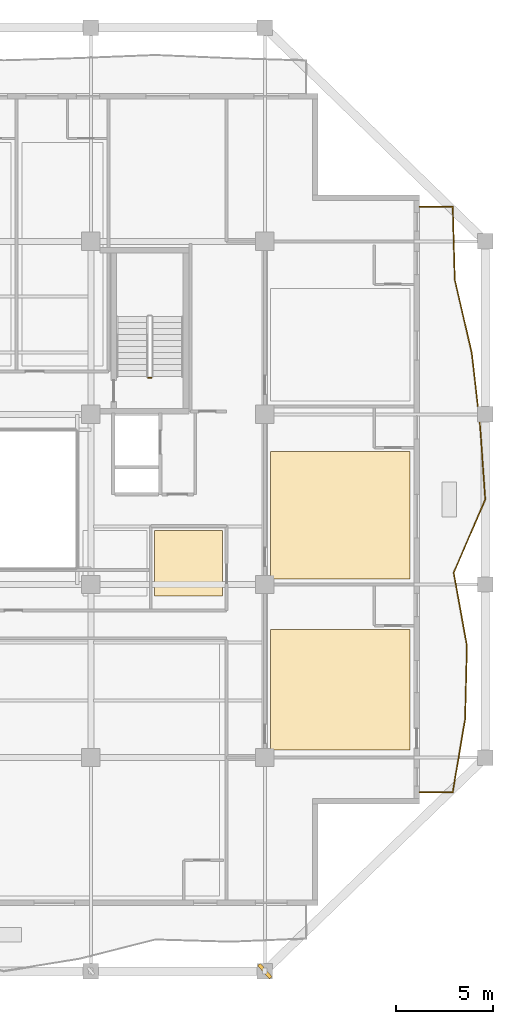
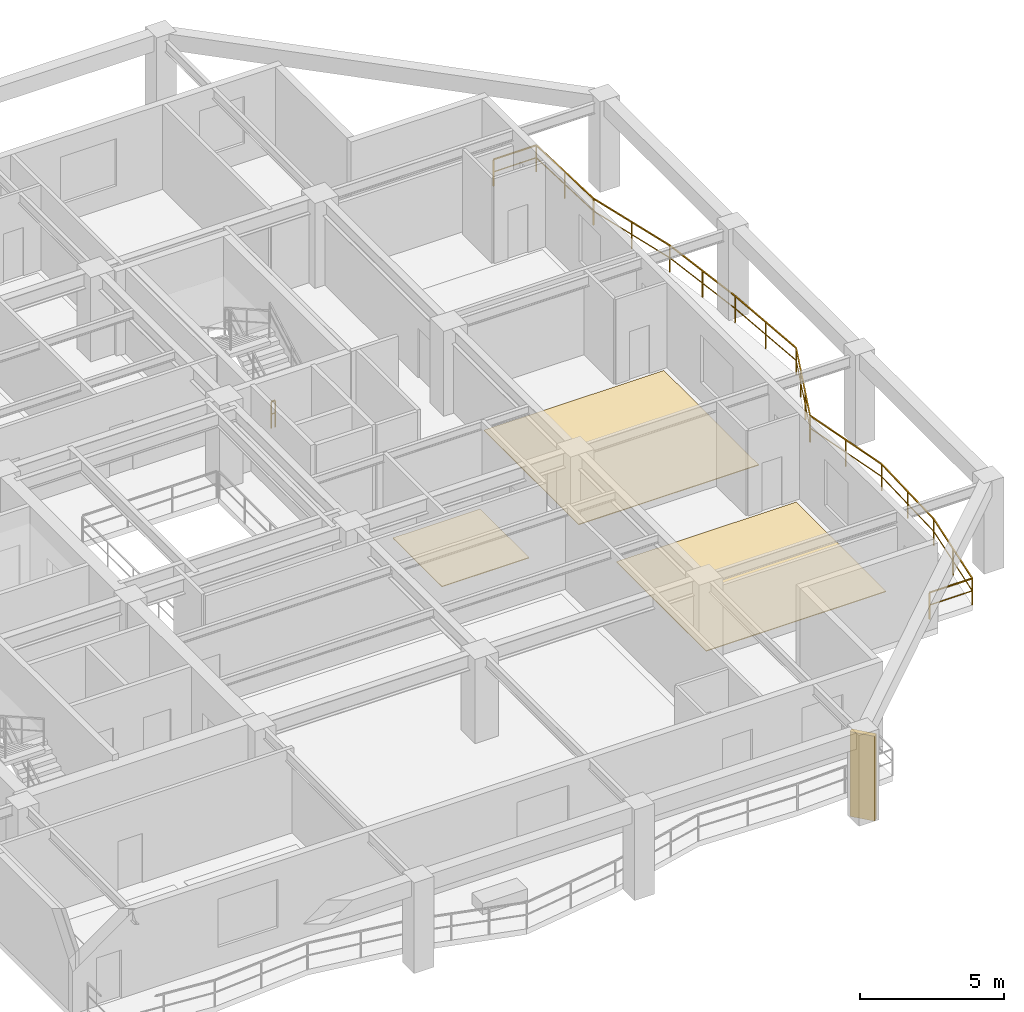
# One storey, part 9 of 12: 3 coverings, 2 railings, 1 shading device.
"""IFC4 building model written with IfcOpenShell, lengths in metres."""

from ifc_helpers import new_model, si_unit, direction, frame, origin, origin_2d, place, context, subcontext, project, spatial, polyline, rectangle, outline, extrude, material, layer, layer_set, type_object, element, save


model = new_model("IFC4")

# Units and contexts
model_context = context("Model", 3, precision=1e-05, world=origin(), true_north=direction((0.0, 1.0)))
body_context = subcontext(model_context, "Body", "Model", "MODEL_VIEW")
ifc_project = project(units=[si_unit("LENGTHUNIT", "METRE"), si_unit("AREAUNIT", "SQUARE_METRE"), si_unit("VOLUMEUNIT", "CUBIC_METRE"), si_unit("PLANEANGLEUNIT", "RADIAN"), si_unit("MASSUNIT", "GRAM", prefix="KILO")], contexts=[model_context])

# Site, building, storey
site_placement = place(None, origin())
site = spatial("IfcSite", under=ifc_project, at=site_placement, CompositionType="ELEMENT")
building_placement = place(site_placement, origin())
building = spatial("IfcBuilding", under=site, at=building_placement, Name="Kundavana Baori Tower", CompositionType="ELEMENT")
storey_placement = place(building_placement, frame((0.0, 0.0, 196.39990234375)))
storey = spatial("IfcBuildingStorey", under=building, at=storey_placement, Name="L48", CompositionType="ELEMENT", Elevation=196.39990234375)

# Coverings
ifc_material_1 = material(Name="Honed Kota Stone and Terrazzo Flooring", Category="masonry")
ifc_layer = layer(ifc_material_1, 0.030029296875, Name="COV-INT-FLR")
ifc_layer_set = layer_set([ifc_layer], Name="Honed Kota Stone and Terrazzo Flooring")
covering_type = type_object("IfcCoveringType", Name="COV-INT-FLR", PredefinedType="FLOORING", material=ifc_layer_set)
covering_1_placement = place(storey_placement, origin())
element("IfcCovering", 1, at=covering_1_placement, inside=storey, type_object=covering_type, Name="L48 Room Finished Stone Flooring 4", PredefinedType="FLOORING", context=body_context, shape_type="SweptSolid", body=[
    extrude(outline(polyline([(43.10009765625, 15.6298828125), (50.320068359375, 15.6298828125), (50.320068359375, 21.8701171875), (43.10009765625, 21.8701171875), (43.10009765625, 15.6298828125)])), origin(), (0.0, 0.0, 1.0), 0.030029296875),
])
covering_2_placement = place(storey_placement, origin())
element("IfcCovering", 2, at=covering_2_placement, inside=storey, type_object=covering_type, Name="L48 Room Finished Stone Flooring 5", PredefinedType="FLOORING", context=body_context, shape_type="SweptSolid", body=[
    extrude(outline(polyline([(43.10009765625, 24.47998046875), (50.320068359375, 24.47998046875), (50.320068359375, 31.070068359375), (43.10009765625, 31.070068359375), (43.10009765625, 24.47998046875)])), origin(), (0.0, 0.0, 1.0), 0.030029296875),
])
covering_3_placement = place(storey_placement, origin())
element("IfcCovering", 3, at=covering_3_placement, inside=storey, type_object=covering_type, Name="L48 Room Finished Stone Flooring 14", PredefinedType="FLOORING", context=body_context, shape_type="SweptSolid", body=[
    extrude(outline(polyline([(37.10009765625, 23.60009765625), (40.60009765625, 23.60009765625), (40.60009765625, 27.0), (37.10009765625, 27.0), (37.10009765625, 23.60009765625)])), origin(), (0.0, 0.0, 1.0), 0.030029296875),
])

# Railings
ifc_material_2 = material(Name="Architectural Patinated Bronze Metalwork")
railing_type_1 = type_object("IfcRailingType", Name="RL-BAL-1150", PredefinedType="BALUSTRADE", material=ifc_material_2)
railing_1_placement = place(storey_placement, frame((50.800048828125, 43.75, 0.0)))
element("IfcRailing", 4, at=railing_1_placement, inside=storey, type_object=railing_type_1, Name="L48 Loggia Balcony Balustrade E", PredefinedType="BALUSTRADE", context=body_context, shape_type="SweptSolid", body=[
    extrude(rectangle(XDim=0.048095703125, YDim=0.048095703125, at=origin_2d()), frame((0.0, 0.0, 1.1259765625), z_axis=(1.0, 0.0, 0.0), x_axis=(0.0, 1.0, 0.0)), (0.0, 0.0, 1.0), 1.719970703125),
    extrude(rectangle(XDim=0.03125, YDim=0.03125, at=origin_2d()), frame((0.0, 0.0, 0.597900390625), z_axis=(1.0, 0.0, 0.0), x_axis=(0.0, 1.0, 0.0)), (0.0, 0.0, 1.0), 1.719970703125),
    extrude(rectangle(XDim=0.048095703125, YDim=0.048095703125, at=origin_2d()), frame((1.719970703125, 0.0, 1.1259765625), z_axis=(0.027960190916, -0.999609037436, 0.0), x_axis=(0.999609037436, 0.027960190916, 0.0)), (0.0, 0.0, 1.0), 3.78955078125),
    extrude(rectangle(XDim=0.03125, YDim=0.03125, at=origin_2d()), frame((1.719970703125, 0.0, 0.597900390625), z_axis=(0.027960190916, -0.999609037436, 0.0), x_axis=(0.999609037436, 0.027960190916, 0.0)), (0.0, 0.0, 1.0), 3.78955078125),
    extrude(rectangle(XDim=0.048095703125, YDim=0.048095703125, at=origin_2d()), frame((1.825927734375, -3.7880859375, 1.1259765625), z_axis=(0.226083950507, -0.9741078212, 0.0), x_axis=(0.9741078212, 0.226083950507, 0.0)), (0.0, 0.0, 1.0), 3.887451171875),
    extrude(rectangle(XDim=0.03125, YDim=0.03125, at=origin_2d()), frame((1.825927734375, -3.7880859375, 0.597900390625), z_axis=(0.226083950507, -0.9741078212, 0.0), x_axis=(0.9741078212, 0.226083950507, 0.0)), (0.0, 0.0, 1.0), 3.887451171875),
    extrude(rectangle(XDim=0.048095703125, YDim=0.048095703125, at=origin_2d()), frame((2.704833984375, -7.574951171875, 1.1259765625), z_axis=(0.113369559903, -0.993552888822, 0.0), x_axis=(0.993552888822, 0.113369559903, 0.0)), (0.0, 0.0, 1.0), 3.811767578125),
    extrude(rectangle(XDim=0.03125, YDim=0.03125, at=origin_2d()), frame((2.704833984375, -7.574951171875, 0.597900390625), z_axis=(0.113369559903, -0.993552888822, 0.0), x_axis=(0.993552888822, 0.113369559903, 0.0)), (0.0, 0.0, 1.0), 3.811767578125),
    extrude(rectangle(XDim=0.048095703125, YDim=0.048095703125, at=origin_2d()), frame((3.136962890625, -11.362060546875, 1.1259765625), z_axis=(0.069250047218, -0.997599333881, 0.0), x_axis=(0.997599333881, 0.069250047218, 0.0)), (0.0, 0.0, 1.0), 3.796875),
    extrude(rectangle(XDim=0.03125, YDim=0.03125, at=origin_2d()), frame((3.136962890625, -11.362060546875, 0.597900390625), z_axis=(0.069250047218, -0.997599333881, 0.0), x_axis=(0.997599333881, 0.069250047218, 0.0)), (0.0, 0.0, 1.0), 3.796875),
    extrude(rectangle(XDim=0.048095703125, YDim=0.048095703125, at=origin_2d()), frame((3.39990234375, -15.14990234375, 1.1259765625), z_axis=(-0.395233591769, -0.918580648575, 0.0), x_axis=(0.918580648575, -0.395233591769, 0.0)), (0.0, 0.0, 1.0), 4.123779296875),
    extrude(rectangle(XDim=0.03125, YDim=0.03125, at=origin_2d()), frame((3.39990234375, -15.14990234375, 0.597900390625), z_axis=(-0.395233591769, -0.918580648575, 0.0), x_axis=(0.918580648575, -0.395233591769, 0.0)), (0.0, 0.0, 1.0), 4.123779296875),
    extrude(rectangle(XDim=0.048095703125, YDim=0.048095703125, at=origin_2d()), frame((1.77001953125, -18.93798828125, 1.1259765625), z_axis=(0.177941914902, -0.9840409925, 0.0), x_axis=(0.9840409925, 0.177941914902, 0.0)), (0.0, 0.0, 1.0), 3.8486328125),
    extrude(rectangle(XDim=0.03125, YDim=0.03125, at=origin_2d()), frame((1.77001953125, -18.93798828125, 0.597900390625), z_axis=(0.177941914902, -0.9840409925, 0.0), x_axis=(0.9840409925, 0.177941914902, 0.0)), (0.0, 0.0, 1.0), 3.8486328125),
    extrude(rectangle(XDim=0.048095703125, YDim=0.048095703125, at=origin_2d()), frame((2.454833984375, -22.72509765625, 1.1259765625), z_axis=(-0.024813452264, -0.999692098892, 0.0), x_axis=(0.999692098892, -0.024813452264, 0.0)), (0.0, 0.0, 1.0), 3.7880859375),
    extrude(rectangle(XDim=0.03125, YDim=0.03125, at=origin_2d()), frame((2.454833984375, -22.72509765625, 0.597900390625), z_axis=(-0.024813452264, -0.999692098892, 0.0), x_axis=(0.999692098892, -0.024813452264, 0.0)), (0.0, 0.0, 1.0), 3.7880859375),
    extrude(rectangle(XDim=0.048095703125, YDim=0.048095703125, at=origin_2d()), frame((2.36083984375, -26.511962890625, 1.1259765625), z_axis=(-0.166809832026, -0.98598908713, 0.0), x_axis=(0.98598908713, -0.166809832026, 0.0)), (0.0, 0.0, 1.0), 3.841796875),
    extrude(rectangle(XDim=0.03125, YDim=0.03125, at=origin_2d()), frame((2.36083984375, -26.511962890625, 0.597900390625), z_axis=(-0.166809832026, -0.98598908713, 0.0), x_axis=(0.98598908713, -0.166809832026, 0.0)), (0.0, 0.0, 1.0), 3.841796875),
    extrude(rectangle(XDim=0.048095703125, YDim=0.048095703125, at=origin_2d()), frame((1.719970703125, -30.300048828125, 1.1259765625), z_axis=(-1.0, 0.0, 0.0), x_axis=(0.0, -1.0, 0.0)), (0.0, 0.0, 1.0), 1.719970703125),
    extrude(rectangle(XDim=0.03125, YDim=0.03125, at=origin_2d()), frame((1.719970703125, -30.300048828125, 0.597900390625), z_axis=(-1.0, 0.0, 0.0), x_axis=(0.0, -1.0, 0.0)), (0.0, 0.0, 1.0), 1.719970703125),
    extrude(rectangle(XDim=0.0419921875, YDim=0.0419921875, at=origin_2d()), origin(), (0.0, 0.0, 1.0), 1.101806640625),
    extrude(rectangle(XDim=0.0419921875, YDim=0.0419921875, at=origin_2d()), frame((1.719970703125, 0.0, 0.0)), (0.0, 0.0, 1.0), 1.101806640625),
    extrude(rectangle(XDim=0.0419921875, YDim=0.0419921875, at=origin_2d()), frame((1.77294921875, -1.89404296875, 0.0)), (0.0, 0.0, 1.0), 1.101806640625),
    extrude(rectangle(XDim=0.0419921875, YDim=0.0419921875, at=origin_2d()), frame((1.825927734375, -3.7880859375, 0.0)), (0.0, 0.0, 1.0), 1.101806640625),
    extrude(rectangle(XDim=0.0419921875, YDim=0.0419921875, at=origin_2d()), frame((2.265380859375, -5.681640625, 0.0)), (0.0, 0.0, 1.0), 1.101806640625),
    extrude(rectangle(XDim=0.0419921875, YDim=0.0419921875, at=origin_2d()), frame((2.704833984375, -7.574951171875, 0.0)), (0.0, 0.0, 1.0), 1.101806640625),
    extrude(rectangle(XDim=0.0419921875, YDim=0.0419921875, at=origin_2d()), frame((2.9208984375, -9.468505859375, 0.0)), (0.0, 0.0, 1.0), 1.101806640625),
    extrude(rectangle(XDim=0.0419921875, YDim=0.0419921875, at=origin_2d()), frame((3.136962890625, -11.362060546875, 0.0)), (0.0, 0.0, 1.0), 1.101806640625),
    extrude(rectangle(XDim=0.0419921875, YDim=0.0419921875, at=origin_2d()), frame((3.2685546875, -13.255859375, 0.0)), (0.0, 0.0, 1.0), 1.101806640625),
    extrude(rectangle(XDim=0.0419921875, YDim=0.0419921875, at=origin_2d()), frame((3.39990234375, -15.14990234375, 0.0)), (0.0, 0.0, 1.0), 1.101806640625),
    extrude(rectangle(XDim=0.0419921875, YDim=0.0419921875, at=origin_2d()), frame((2.856689453125, -16.41259765625, 0.0)), (0.0, 0.0, 1.0), 1.101806640625),
    extrude(rectangle(XDim=0.0419921875, YDim=0.0419921875, at=origin_2d()), frame((2.313232421875, -17.67529296875, 0.0)), (0.0, 0.0, 1.0), 1.101806640625),
    extrude(rectangle(XDim=0.0419921875, YDim=0.0419921875, at=origin_2d()), frame((1.77001953125, -18.93798828125, 0.0)), (0.0, 0.0, 1.0), 1.101806640625),
    extrude(rectangle(XDim=0.0419921875, YDim=0.0419921875, at=origin_2d()), frame((2.1123046875, -20.83154296875, 0.0)), (0.0, 0.0, 1.0), 1.101806640625),
    extrude(rectangle(XDim=0.0419921875, YDim=0.0419921875, at=origin_2d()), frame((2.454833984375, -22.72509765625, 0.0)), (0.0, 0.0, 1.0), 1.101806640625),
    extrude(rectangle(XDim=0.0419921875, YDim=0.0419921875, at=origin_2d()), frame((2.40771484375, -24.61865234375, 0.0)), (0.0, 0.0, 1.0), 1.101806640625),
    extrude(rectangle(XDim=0.0419921875, YDim=0.0419921875, at=origin_2d()), frame((2.36083984375, -26.511962890625, 0.0)), (0.0, 0.0, 1.0), 1.101806640625),
    extrude(rectangle(XDim=0.0419921875, YDim=0.0419921875, at=origin_2d()), frame((2.04052734375, -28.406005859375, 0.0)), (0.0, 0.0, 1.0), 1.101806640625),
    extrude(rectangle(XDim=0.0419921875, YDim=0.0419921875, at=origin_2d()), frame((1.719970703125, -30.300048828125, 0.0)), (0.0, 0.0, 1.0), 1.101806640625),
    extrude(rectangle(XDim=0.0419921875, YDim=0.0419921875, at=origin_2d()), frame((0.0, -30.300048828125, 0.0)), (0.0, 0.0, 1.0), 1.101806640625),
])
ifc_material_3 = material(Name="Architectural Patinated Bronze Metalwork")
railing_type_2 = type_object("IfcRailingType", Name="RL-GRD-1150", PredefinedType="GUARDRAIL", material=ifc_material_3)
railing_2_placement = place(storey_placement, frame((36.929931640625, 34.89990234375, 0.0)))
element("IfcRailing", 5, at=railing_2_placement, inside=storey, type_object=railing_type_2, Name="L48 ST3 stair guard 4", PredefinedType="GUARDRAIL", context=body_context, shape_type="SweptSolid", body=[
    extrude(rectangle(XDim=0.048095703125, YDim=0.048095703125, at=origin_2d()), frame((0.0, 0.0, 1.1259765625), z_axis=(-1.0, 0.0, 0.0), x_axis=(0.0, -1.0, 0.0)), (0.0, 0.0, 1.0), 0.159912109375),
    extrude(rectangle(XDim=0.03125, YDim=0.03125, at=origin_2d()), frame((0.0, 0.0, 0.597900390625), z_axis=(-1.0, 0.0, 0.0), x_axis=(0.0, -1.0, 0.0)), (0.0, 0.0, 1.0), 0.159912109375),
    extrude(rectangle(XDim=0.0419921875, YDim=0.0419921875, at=origin_2d()), origin(), (0.0, 0.0, 1.0), 1.101806640625),
    extrude(rectangle(XDim=0.0419921875, YDim=0.0419921875, at=origin_2d()), frame((-0.159912109375, 0.0, 0.0)), (0.0, 0.0, 1.0), 1.101806640625),
])

# Shading device
ifc_material_4 = material(Name="Red-Buff Dholpur Sandstone Cladding on Concrete C40/50", Category="masonry")
shading_device_type = type_object("IfcShadingDeviceType", Name="SHD-FIN-920", PredefinedType="JALOUSIE", material=ifc_material_4)
shading_device_placement = place(storey_placement, frame((42.800048828125, 4.199951171875, 0.0), z_axis=(0.0, 0.0, 1.0), x_axis=(0.751379314082, 0.659870537582, 0.0)))
element("IfcShadingDevice", 6, at=shading_device_placement, inside=storey, type_object=shading_device_type, Name="L48 Sweeping Dholpur Sandstone Facade Fin 4", PredefinedType="JALOUSIE", context=body_context, shape_type="SweptSolid", body=[
    extrude(rectangle(XDim=0.179931640625, YDim=0.919921875, at=origin_2d()), origin(), (0.0, 0.0, 1.0), 3.60009765625),
])

save(model, "model.ifc")
